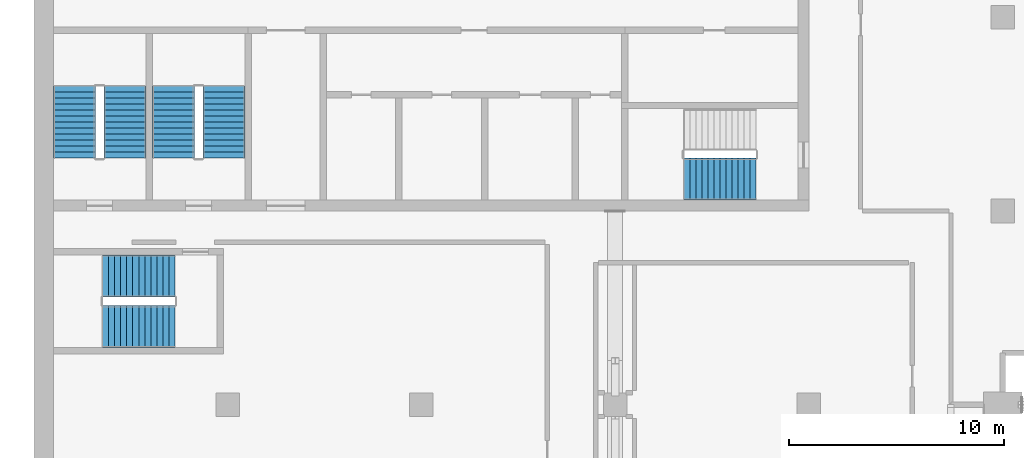
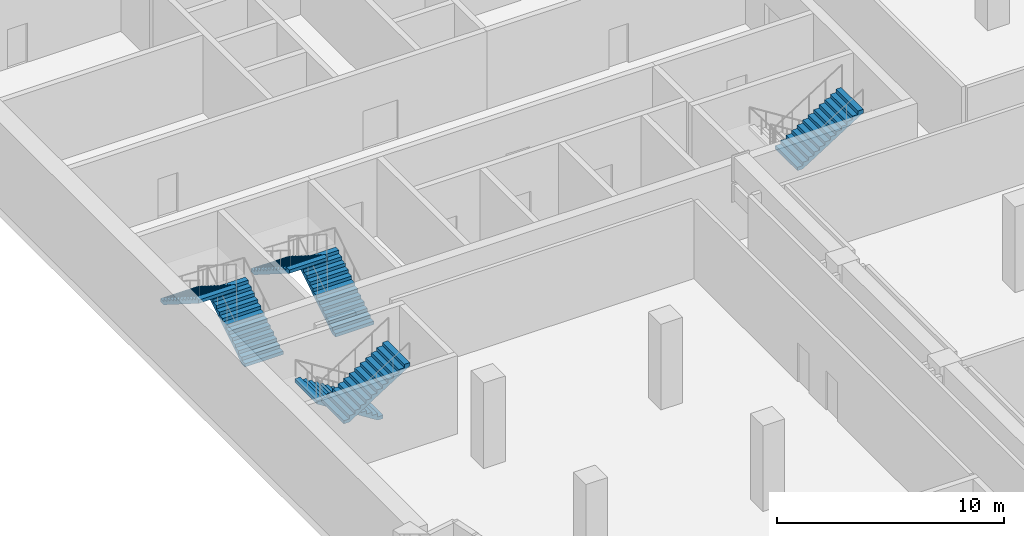
# One storey, part 10 of 16: 7 stair flights, 4 elements without a shape of their own.
"""IFC4 building model written with IfcOpenShell, lengths in metres."""

from ifc_helpers import new_model, si_unit, direction, frame, origin, place, context, subcontext, project, spatial, polyline, outline, extrude, material, type_object, element, aggregate, save


model = new_model("IFC4")

# Units and contexts
model_context = context("Model", 3, precision=1e-05, world=origin(), true_north=direction((0.0, 1.0)))
body_context = subcontext(model_context, "Body", "Model", "MODEL_VIEW")
ifc_project = project(units=[si_unit("LENGTHUNIT", "METRE"), si_unit("AREAUNIT", "SQUARE_METRE"), si_unit("VOLUMEUNIT", "CUBIC_METRE"), si_unit("PLANEANGLEUNIT", "RADIAN"), si_unit("MASSUNIT", "GRAM", prefix="KILO")], contexts=[model_context])

# Site, building, storey
site_placement = place(None, origin())
site = spatial("IfcSite", under=ifc_project, at=site_placement, CompositionType="ELEMENT")
building_placement = place(site_placement, origin())
building = spatial("IfcBuilding", under=site, at=building_placement, Name="Hunhe Ridgeline Campus", CompositionType="ELEMENT")
storey_placement = place(building_placement, frame((0.0, 0.0, 227.199951171875)))
storey = spatial("IfcBuildingStorey", under=building, at=storey_placement, Name="L58", CompositionType="ELEMENT", Elevation=227.199951171875)

# Stair, stair flight
ifc_material = material(Name="Concrete C40", Category="concrete")
stair_type = type_object("IfcStairType", Name="Reinforced concrete dog-leg stair 1950 Concrete C40", PredefinedType="HALF_TURN_STAIR", material=ifc_material)
stair_1_placement = place(storey_placement, origin())
stair_1 = element("IfcStair", 1, at=stair_1_placement, inside=storey, type_object=stair_type, Name="L58 S2", PredefinedType="HALF_TURN_STAIR")
stair_flight_type = type_object("IfcStairFlightType", Name="Reinforced concrete stair flight 1950 Concrete C40", PredefinedType="STRAIGHT", material=ifc_material)
stair_flight_1_placement = place(storey_placement, frame((30.18994140625, 64.47509765625, 2.300048828125), z_axis=(0.0, 0.0, 1.0), x_axis=(1.0, 0.0, 0.0)))
stair_flight_1 = element("IfcStairFlight", 2, at=stair_flight_1_placement, type_object=stair_flight_type, Name="ST2 flight 2", NumberOfRisers=13, NumberOfTreads=12, PredefinedType="STRAIGHT", RiserHeight=0.176923077, TreadLength=0.28, context=body_context, shape_type="SweptSolid", body=[
    extrude(outline(polyline([(0.0, 0.0), (0.0, 0.177001953125), (0.280029296875, 0.177001953125), (0.280029296875, 0.353759765625), (0.56005859375, 0.353759765625), (0.56005859375, 0.53076171875), (0.840087890625, 0.53076171875), (0.840087890625, 0.707763671875), (1.1201171875, 0.707763671875), (1.1201171875, 0.884521484375), (1.39990234375, 0.884521484375), (1.39990234375, 1.0615234375), (1.679931640625, 1.0615234375), (1.679931640625, 1.238525390625), (1.9599609375, 1.238525390625), (1.9599609375, 1.415283203125), (2.239990234375, 1.415283203125), (2.239990234375, 1.59228515625), (2.52001953125, 1.59228515625), (2.52001953125, 1.769287109375), (2.800048828125, 1.769287109375), (2.800048828125, 1.946044921875), (3.080078125, 1.946044921875), (3.080078125, 2.123046875), (3.360107421875, 2.123046875), (3.360107421875, 2.300048828125), (3.360107421875, 1.94580078125), (0.280517578125, 0.0), (0.0, 0.0)])), frame((0.0, 0.97509765625, 0.0), z_axis=(0.0, -1.0, 0.0), x_axis=(1.0, 0.0, 0.0)), (0.0, 0.0, 1.0), 1.949951171875),
    extrude(outline(polyline([(0.030029296875, 0.030029296875), (0.030029296875, 0.14697265625), (0.31005859375, 0.14697265625), (0.31005859375, 0.32373046875), (0.590087890625, 0.32373046875), (0.590087890625, 0.500732421875), (0.8701171875, 0.500732421875), (0.8701171875, 0.677734375), (1.14990234375, 0.677734375), (1.14990234375, 0.8544921875), (1.429931640625, 0.8544921875), (1.429931640625, 1.031494140625), (1.7099609375, 1.031494140625), (1.7099609375, 1.20849609375), (1.989990234375, 1.20849609375), (1.989990234375, 1.385498046875), (2.27001953125, 1.385498046875), (2.27001953125, 1.562255859375), (2.550048828125, 1.562255859375), (2.550048828125, 1.7392578125), (2.830078125, 1.7392578125), (2.830078125, 1.916259765625), (3.110107421875, 1.916259765625), (3.110107421875, 2.093017578125), (3.330078125, 2.093017578125), (3.330078125, 1.96240234375), (0.27197265625, 0.030029296875), (0.030029296875, 0.030029296875)])), frame((0.0, -0.070068359375, 0.0), z_axis=(0.0, -1.0, 0.0), x_axis=(1.0, 0.0, 0.0)), (0.0, 0.0, 1.0), 0.019775390625),
    extrude(outline(polyline([(0.030029296875, 0.030029296875), (0.030029296875, 0.14697265625), (0.31005859375, 0.14697265625), (0.31005859375, 0.32373046875), (0.590087890625, 0.32373046875), (0.590087890625, 0.500732421875), (0.8701171875, 0.500732421875), (0.8701171875, 0.677734375), (1.14990234375, 0.677734375), (1.14990234375, 0.8544921875), (1.429931640625, 0.8544921875), (1.429931640625, 1.031494140625), (1.7099609375, 1.031494140625), (1.7099609375, 1.20849609375), (1.989990234375, 1.20849609375), (1.989990234375, 1.385498046875), (2.27001953125, 1.385498046875), (2.27001953125, 1.562255859375), (2.550048828125, 1.562255859375), (2.550048828125, 1.7392578125), (2.830078125, 1.7392578125), (2.830078125, 1.916259765625), (3.110107421875, 1.916259765625), (3.110107421875, 2.093017578125), (3.330078125, 2.093017578125), (3.330078125, 1.96240234375), (0.27197265625, 0.030029296875), (0.030029296875, 0.030029296875)])), frame((0.0, 0.010009765625, 0.0), z_axis=(0.0, -1.0, 0.0), x_axis=(1.0, 0.0, 0.0)), (0.0, 0.0, 1.0), 0.019775390625),
    extrude(outline(polyline([(0.030029296875, 0.030029296875), (0.030029296875, 0.14697265625), (0.31005859375, 0.14697265625), (0.31005859375, 0.32373046875), (0.590087890625, 0.32373046875), (0.590087890625, 0.500732421875), (0.8701171875, 0.500732421875), (0.8701171875, 0.677734375), (1.14990234375, 0.677734375), (1.14990234375, 0.8544921875), (1.429931640625, 0.8544921875), (1.429931640625, 1.031494140625), (1.7099609375, 1.031494140625), (1.7099609375, 1.20849609375), (1.989990234375, 1.20849609375), (1.989990234375, 1.385498046875), (2.27001953125, 1.385498046875), (2.27001953125, 1.562255859375), (2.550048828125, 1.562255859375), (2.550048828125, 1.7392578125), (2.830078125, 1.7392578125), (2.830078125, 1.916259765625), (3.110107421875, 1.916259765625), (3.110107421875, 2.093017578125), (3.330078125, 2.093017578125), (3.330078125, 1.96240234375), (0.27197265625, 0.030029296875), (0.030029296875, 0.030029296875)])), frame((0.0, 0.090087890625, 0.0), z_axis=(0.0, -1.0, 0.0), x_axis=(1.0, 0.0, 0.0)), (0.0, 0.0, 1.0), 0.019775390625),
])
aggregate(stair_1, [stair_flight_1])

# Stair, stair flights
stair_2_placement = place(storey_placement, origin())
stair_2 = element("IfcStair", 3, at=stair_2_placement, inside=storey, type_object=stair_type, Name="L58 S3", PredefinedType="HALF_TURN_STAIR")
stair_flight_2_placement = place(storey_placement, frame((4.22509765625, 65.449951171875, 0.0), z_axis=(0.0, 0.0, 1.0), x_axis=(0.0, 1.0, 0.0)))
stair_flight_2 = element("IfcStairFlight", 4, at=stair_flight_2_placement, type_object=stair_flight_type, Name="ST3 flight 1", NumberOfRisers=13, NumberOfTreads=12, PredefinedType="STRAIGHT", RiserHeight=0.176923077, TreadLength=0.28, context=body_context, shape_type="SweptSolid", body=[
    extrude(outline(polyline([(0.0, 0.0), (0.0, 0.177001953125), (0.280029296875, 0.177001953125), (0.280029296875, 0.353759765625), (0.56005859375, 0.353759765625), (0.56005859375, 0.53076171875), (0.840087890625, 0.53076171875), (0.840087890625, 0.707763671875), (1.1201171875, 0.707763671875), (1.1201171875, 0.884521484375), (1.39990234375, 0.884521484375), (1.39990234375, 1.0615234375), (1.679931640625, 1.0615234375), (1.679931640625, 1.238525390625), (1.9599609375, 1.238525390625), (1.9599609375, 1.415283203125), (2.239990234375, 1.415283203125), (2.239990234375, 1.59228515625), (2.52001953125, 1.59228515625), (2.52001953125, 1.769287109375), (2.800048828125, 1.769287109375), (2.800048828125, 1.946044921875), (3.080078125, 1.946044921875), (3.080078125, 2.123046875), (3.360107421875, 2.123046875), (3.360107421875, 2.300048828125), (3.360107421875, 1.94580078125), (0.280517578125, 0.0), (0.0, 0.0)])), frame((0.0, 0.97509765625, 0.0), z_axis=(0.0, -1.0, 0.0), x_axis=(1.0, 0.0, 0.0)), (0.0, 0.0, 1.0), 1.949951171875),
    extrude(outline(polyline([(0.030029296875, 0.030029296875), (0.030029296875, 0.14697265625), (0.31005859375, 0.14697265625), (0.31005859375, 0.32373046875), (0.590087890625, 0.32373046875), (0.590087890625, 0.500732421875), (0.8701171875, 0.500732421875), (0.8701171875, 0.677734375), (1.14990234375, 0.677734375), (1.14990234375, 0.8544921875), (1.429931640625, 0.8544921875), (1.429931640625, 1.031494140625), (1.7099609375, 1.031494140625), (1.7099609375, 1.20849609375), (1.989990234375, 1.20849609375), (1.989990234375, 1.385498046875), (2.27001953125, 1.385498046875), (2.27001953125, 1.562255859375), (2.550048828125, 1.562255859375), (2.550048828125, 1.7392578125), (2.830078125, 1.7392578125), (2.830078125, 1.916259765625), (3.110107421875, 1.916259765625), (3.110107421875, 2.093017578125), (3.330078125, 2.093017578125), (3.330078125, 1.96240234375), (0.27197265625, 0.030029296875), (0.030029296875, 0.030029296875)])), frame((0.0, -0.070068359375, 0.0), z_axis=(0.0, -1.0, 0.0), x_axis=(1.0, 0.0, 0.0)), (0.0, 0.0, 1.0), 0.019775390625),
    extrude(outline(polyline([(0.030029296875, 0.030029296875), (0.030029296875, 0.14697265625), (0.31005859375, 0.14697265625), (0.31005859375, 0.32373046875), (0.590087890625, 0.32373046875), (0.590087890625, 0.500732421875), (0.8701171875, 0.500732421875), (0.8701171875, 0.677734375), (1.14990234375, 0.677734375), (1.14990234375, 0.8544921875), (1.429931640625, 0.8544921875), (1.429931640625, 1.031494140625), (1.7099609375, 1.031494140625), (1.7099609375, 1.20849609375), (1.989990234375, 1.20849609375), (1.989990234375, 1.385498046875), (2.27001953125, 1.385498046875), (2.27001953125, 1.562255859375), (2.550048828125, 1.562255859375), (2.550048828125, 1.7392578125), (2.830078125, 1.7392578125), (2.830078125, 1.916259765625), (3.110107421875, 1.916259765625), (3.110107421875, 2.093017578125), (3.330078125, 2.093017578125), (3.330078125, 1.96240234375), (0.27197265625, 0.030029296875), (0.030029296875, 0.030029296875)])), frame((0.0, 0.010009765625, 0.0), z_axis=(0.0, -1.0, 0.0), x_axis=(1.0, 0.0, 0.0)), (0.0, 0.0, 1.0), 0.019775390625),
    extrude(outline(polyline([(0.030029296875, 0.030029296875), (0.030029296875, 0.14697265625), (0.31005859375, 0.14697265625), (0.31005859375, 0.32373046875), (0.590087890625, 0.32373046875), (0.590087890625, 0.500732421875), (0.8701171875, 0.500732421875), (0.8701171875, 0.677734375), (1.14990234375, 0.677734375), (1.14990234375, 0.8544921875), (1.429931640625, 0.8544921875), (1.429931640625, 1.031494140625), (1.7099609375, 1.031494140625), (1.7099609375, 1.20849609375), (1.989990234375, 1.20849609375), (1.989990234375, 1.385498046875), (2.27001953125, 1.385498046875), (2.27001953125, 1.562255859375), (2.550048828125, 1.562255859375), (2.550048828125, 1.7392578125), (2.830078125, 1.7392578125), (2.830078125, 1.916259765625), (3.110107421875, 1.916259765625), (3.110107421875, 2.093017578125), (3.330078125, 2.093017578125), (3.330078125, 1.96240234375), (0.27197265625, 0.030029296875), (0.030029296875, 0.030029296875)])), frame((0.0, 0.090087890625, 0.0), z_axis=(0.0, -1.0, 0.0), x_axis=(1.0, 0.0, 0.0)), (0.0, 0.0, 1.0), 0.019775390625),
])
stair_flight_3_placement = place(storey_placement, frame((1.875, 68.81005859375, 2.300048828125), z_axis=(0.0, 0.0, 1.0), x_axis=(0.0, -1.0, 0.0)))
stair_flight_3 = element("IfcStairFlight", 5, at=stair_flight_3_placement, type_object=stair_flight_type, Name="ST3 flight 2", NumberOfRisers=13, NumberOfTreads=12, PredefinedType="STRAIGHT", RiserHeight=0.176923077, TreadLength=0.28, context=body_context, shape_type="SweptSolid", body=[
    extrude(outline(polyline([(0.0, 0.0), (0.0, 0.177001953125), (0.280029296875, 0.177001953125), (0.280029296875, 0.353759765625), (0.56005859375, 0.353759765625), (0.56005859375, 0.53076171875), (0.840087890625, 0.53076171875), (0.840087890625, 0.707763671875), (1.1201171875, 0.707763671875), (1.1201171875, 0.884521484375), (1.39990234375, 0.884521484375), (1.39990234375, 1.0615234375), (1.679931640625, 1.0615234375), (1.679931640625, 1.238525390625), (1.9599609375, 1.238525390625), (1.9599609375, 1.415283203125), (2.239990234375, 1.415283203125), (2.239990234375, 1.59228515625), (2.52001953125, 1.59228515625), (2.52001953125, 1.769287109375), (2.800048828125, 1.769287109375), (2.800048828125, 1.946044921875), (3.080078125, 1.946044921875), (3.080078125, 2.123046875), (3.360107421875, 2.123046875), (3.360107421875, 2.300048828125), (3.360107421875, 1.94580078125), (0.280517578125, 0.0), (0.0, 0.0)])), frame((0.0, 0.97509765625, 0.0), z_axis=(0.0, -1.0, 0.0), x_axis=(1.0, 0.0, 0.0)), (0.0, 0.0, 1.0), 1.949951171875),
    extrude(outline(polyline([(0.030029296875, 0.030029296875), (0.030029296875, 0.14697265625), (0.31005859375, 0.14697265625), (0.31005859375, 0.32373046875), (0.590087890625, 0.32373046875), (0.590087890625, 0.500732421875), (0.8701171875, 0.500732421875), (0.8701171875, 0.677734375), (1.14990234375, 0.677734375), (1.14990234375, 0.8544921875), (1.429931640625, 0.8544921875), (1.429931640625, 1.031494140625), (1.7099609375, 1.031494140625), (1.7099609375, 1.20849609375), (1.989990234375, 1.20849609375), (1.989990234375, 1.385498046875), (2.27001953125, 1.385498046875), (2.27001953125, 1.562255859375), (2.550048828125, 1.562255859375), (2.550048828125, 1.7392578125), (2.830078125, 1.7392578125), (2.830078125, 1.916259765625), (3.110107421875, 1.916259765625), (3.110107421875, 2.093017578125), (3.330078125, 2.093017578125), (3.330078125, 1.96240234375), (0.27197265625, 0.030029296875), (0.030029296875, 0.030029296875)])), frame((0.0, -0.070068359375, 0.0), z_axis=(0.0, -1.0, 0.0), x_axis=(1.0, 0.0, 0.0)), (0.0, 0.0, 1.0), 0.019775390625),
    extrude(outline(polyline([(0.030029296875, 0.030029296875), (0.030029296875, 0.14697265625), (0.31005859375, 0.14697265625), (0.31005859375, 0.32373046875), (0.590087890625, 0.32373046875), (0.590087890625, 0.500732421875), (0.8701171875, 0.500732421875), (0.8701171875, 0.677734375), (1.14990234375, 0.677734375), (1.14990234375, 0.8544921875), (1.429931640625, 0.8544921875), (1.429931640625, 1.031494140625), (1.7099609375, 1.031494140625), (1.7099609375, 1.20849609375), (1.989990234375, 1.20849609375), (1.989990234375, 1.385498046875), (2.27001953125, 1.385498046875), (2.27001953125, 1.562255859375), (2.550048828125, 1.562255859375), (2.550048828125, 1.7392578125), (2.830078125, 1.7392578125), (2.830078125, 1.916259765625), (3.110107421875, 1.916259765625), (3.110107421875, 2.093017578125), (3.330078125, 2.093017578125), (3.330078125, 1.96240234375), (0.27197265625, 0.030029296875), (0.030029296875, 0.030029296875)])), frame((0.0, 0.010009765625, 0.0), z_axis=(0.0, -1.0, 0.0), x_axis=(1.0, 0.0, 0.0)), (0.0, 0.0, 1.0), 0.019775390625),
    extrude(outline(polyline([(0.030029296875, 0.030029296875), (0.030029296875, 0.14697265625), (0.31005859375, 0.14697265625), (0.31005859375, 0.32373046875), (0.590087890625, 0.32373046875), (0.590087890625, 0.500732421875), (0.8701171875, 0.500732421875), (0.8701171875, 0.677734375), (1.14990234375, 0.677734375), (1.14990234375, 0.8544921875), (1.429931640625, 0.8544921875), (1.429931640625, 1.031494140625), (1.7099609375, 1.031494140625), (1.7099609375, 1.20849609375), (1.989990234375, 1.20849609375), (1.989990234375, 1.385498046875), (2.27001953125, 1.385498046875), (2.27001953125, 1.562255859375), (2.550048828125, 1.562255859375), (2.550048828125, 1.7392578125), (2.830078125, 1.7392578125), (2.830078125, 1.916259765625), (3.110107421875, 1.916259765625), (3.110107421875, 2.093017578125), (3.330078125, 2.093017578125), (3.330078125, 1.96240234375), (0.27197265625, 0.030029296875), (0.030029296875, 0.030029296875)])), frame((0.0, 0.090087890625, 0.0), z_axis=(0.0, -1.0, 0.0), x_axis=(1.0, 0.0, 0.0)), (0.0, 0.0, 1.0), 0.019775390625),
])
aggregate(stair_2, [stair_flight_2, stair_flight_3])

stair_3_placement = place(storey_placement, origin())
stair_3 = element("IfcStair", 6, at=stair_3_placement, inside=storey, type_object=stair_type, Name="L58 S4", PredefinedType="HALF_TURN_STAIR")
stair_flight_4_placement = place(storey_placement, frame((8.824951171875, 65.449951171875, 0.0), z_axis=(0.0, 0.0, 1.0), x_axis=(0.0, 1.0, 0.0)))
stair_flight_4 = element("IfcStairFlight", 7, at=stair_flight_4_placement, type_object=stair_flight_type, Name="ST4 flight 1", NumberOfRisers=13, NumberOfTreads=12, PredefinedType="STRAIGHT", RiserHeight=0.176923077, TreadLength=0.28, context=body_context, shape_type="SweptSolid", body=[
    extrude(outline(polyline([(0.0, 0.0), (0.0, 0.177001953125), (0.280029296875, 0.177001953125), (0.280029296875, 0.353759765625), (0.56005859375, 0.353759765625), (0.56005859375, 0.53076171875), (0.840087890625, 0.53076171875), (0.840087890625, 0.707763671875), (1.1201171875, 0.707763671875), (1.1201171875, 0.884521484375), (1.39990234375, 0.884521484375), (1.39990234375, 1.0615234375), (1.679931640625, 1.0615234375), (1.679931640625, 1.238525390625), (1.9599609375, 1.238525390625), (1.9599609375, 1.415283203125), (2.239990234375, 1.415283203125), (2.239990234375, 1.59228515625), (2.52001953125, 1.59228515625), (2.52001953125, 1.769287109375), (2.800048828125, 1.769287109375), (2.800048828125, 1.946044921875), (3.080078125, 1.946044921875), (3.080078125, 2.123046875), (3.360107421875, 2.123046875), (3.360107421875, 2.300048828125), (3.360107421875, 1.94580078125), (0.280517578125, 0.0), (0.0, 0.0)])), frame((0.0, 0.97509765625, 0.0), z_axis=(0.0, -1.0, 0.0), x_axis=(1.0, 0.0, 0.0)), (0.0, 0.0, 1.0), 1.949951171875),
    extrude(outline(polyline([(0.030029296875, 0.030029296875), (0.030029296875, 0.14697265625), (0.31005859375, 0.14697265625), (0.31005859375, 0.32373046875), (0.590087890625, 0.32373046875), (0.590087890625, 0.500732421875), (0.8701171875, 0.500732421875), (0.8701171875, 0.677734375), (1.14990234375, 0.677734375), (1.14990234375, 0.8544921875), (1.429931640625, 0.8544921875), (1.429931640625, 1.031494140625), (1.7099609375, 1.031494140625), (1.7099609375, 1.20849609375), (1.989990234375, 1.20849609375), (1.989990234375, 1.385498046875), (2.27001953125, 1.385498046875), (2.27001953125, 1.562255859375), (2.550048828125, 1.562255859375), (2.550048828125, 1.7392578125), (2.830078125, 1.7392578125), (2.830078125, 1.916259765625), (3.110107421875, 1.916259765625), (3.110107421875, 2.093017578125), (3.330078125, 2.093017578125), (3.330078125, 1.96240234375), (0.27197265625, 0.030029296875), (0.030029296875, 0.030029296875)])), frame((0.0, -0.070068359375, 0.0), z_axis=(0.0, -1.0, 0.0), x_axis=(1.0, 0.0, 0.0)), (0.0, 0.0, 1.0), 0.019775390625),
    extrude(outline(polyline([(0.030029296875, 0.030029296875), (0.030029296875, 0.14697265625), (0.31005859375, 0.14697265625), (0.31005859375, 0.32373046875), (0.590087890625, 0.32373046875), (0.590087890625, 0.500732421875), (0.8701171875, 0.500732421875), (0.8701171875, 0.677734375), (1.14990234375, 0.677734375), (1.14990234375, 0.8544921875), (1.429931640625, 0.8544921875), (1.429931640625, 1.031494140625), (1.7099609375, 1.031494140625), (1.7099609375, 1.20849609375), (1.989990234375, 1.20849609375), (1.989990234375, 1.385498046875), (2.27001953125, 1.385498046875), (2.27001953125, 1.562255859375), (2.550048828125, 1.562255859375), (2.550048828125, 1.7392578125), (2.830078125, 1.7392578125), (2.830078125, 1.916259765625), (3.110107421875, 1.916259765625), (3.110107421875, 2.093017578125), (3.330078125, 2.093017578125), (3.330078125, 1.96240234375), (0.27197265625, 0.030029296875), (0.030029296875, 0.030029296875)])), frame((0.0, 0.010009765625, 0.0), z_axis=(0.0, -1.0, 0.0), x_axis=(1.0, 0.0, 0.0)), (0.0, 0.0, 1.0), 0.019775390625),
    extrude(outline(polyline([(0.030029296875, 0.030029296875), (0.030029296875, 0.14697265625), (0.31005859375, 0.14697265625), (0.31005859375, 0.32373046875), (0.590087890625, 0.32373046875), (0.590087890625, 0.500732421875), (0.8701171875, 0.500732421875), (0.8701171875, 0.677734375), (1.14990234375, 0.677734375), (1.14990234375, 0.8544921875), (1.429931640625, 0.8544921875), (1.429931640625, 1.031494140625), (1.7099609375, 1.031494140625), (1.7099609375, 1.20849609375), (1.989990234375, 1.20849609375), (1.989990234375, 1.385498046875), (2.27001953125, 1.385498046875), (2.27001953125, 1.562255859375), (2.550048828125, 1.562255859375), (2.550048828125, 1.7392578125), (2.830078125, 1.7392578125), (2.830078125, 1.916259765625), (3.110107421875, 1.916259765625), (3.110107421875, 2.093017578125), (3.330078125, 2.093017578125), (3.330078125, 1.96240234375), (0.27197265625, 0.030029296875), (0.030029296875, 0.030029296875)])), frame((0.0, 0.090087890625, 0.0), z_axis=(0.0, -1.0, 0.0), x_axis=(1.0, 0.0, 0.0)), (0.0, 0.0, 1.0), 0.019775390625),
])
stair_flight_5_placement = place(storey_placement, frame((6.47509765625, 68.81005859375, 2.300048828125), z_axis=(0.0, 0.0, 1.0), x_axis=(0.0, -1.0, 0.0)))
stair_flight_5 = element("IfcStairFlight", 8, at=stair_flight_5_placement, type_object=stair_flight_type, Name="ST4 flight 2", NumberOfRisers=13, NumberOfTreads=12, PredefinedType="STRAIGHT", RiserHeight=0.176923077, TreadLength=0.28, context=body_context, shape_type="SweptSolid", body=[
    extrude(outline(polyline([(0.0, 0.0), (0.0, 0.177001953125), (0.280029296875, 0.177001953125), (0.280029296875, 0.353759765625), (0.56005859375, 0.353759765625), (0.56005859375, 0.53076171875), (0.840087890625, 0.53076171875), (0.840087890625, 0.707763671875), (1.1201171875, 0.707763671875), (1.1201171875, 0.884521484375), (1.39990234375, 0.884521484375), (1.39990234375, 1.0615234375), (1.679931640625, 1.0615234375), (1.679931640625, 1.238525390625), (1.9599609375, 1.238525390625), (1.9599609375, 1.415283203125), (2.239990234375, 1.415283203125), (2.239990234375, 1.59228515625), (2.52001953125, 1.59228515625), (2.52001953125, 1.769287109375), (2.800048828125, 1.769287109375), (2.800048828125, 1.946044921875), (3.080078125, 1.946044921875), (3.080078125, 2.123046875), (3.360107421875, 2.123046875), (3.360107421875, 2.300048828125), (3.360107421875, 1.94580078125), (0.280517578125, 0.0), (0.0, 0.0)])), frame((0.0, 0.97509765625, 0.0), z_axis=(0.0, -1.0, 0.0), x_axis=(1.0, 0.0, 0.0)), (0.0, 0.0, 1.0), 1.949951171875),
    extrude(outline(polyline([(0.030029296875, 0.030029296875), (0.030029296875, 0.14697265625), (0.31005859375, 0.14697265625), (0.31005859375, 0.32373046875), (0.590087890625, 0.32373046875), (0.590087890625, 0.500732421875), (0.8701171875, 0.500732421875), (0.8701171875, 0.677734375), (1.14990234375, 0.677734375), (1.14990234375, 0.8544921875), (1.429931640625, 0.8544921875), (1.429931640625, 1.031494140625), (1.7099609375, 1.031494140625), (1.7099609375, 1.20849609375), (1.989990234375, 1.20849609375), (1.989990234375, 1.385498046875), (2.27001953125, 1.385498046875), (2.27001953125, 1.562255859375), (2.550048828125, 1.562255859375), (2.550048828125, 1.7392578125), (2.830078125, 1.7392578125), (2.830078125, 1.916259765625), (3.110107421875, 1.916259765625), (3.110107421875, 2.093017578125), (3.330078125, 2.093017578125), (3.330078125, 1.96240234375), (0.27197265625, 0.030029296875), (0.030029296875, 0.030029296875)])), frame((0.0, -0.070068359375, 0.0), z_axis=(0.0, -1.0, 0.0), x_axis=(1.0, 0.0, 0.0)), (0.0, 0.0, 1.0), 0.019775390625),
    extrude(outline(polyline([(0.030029296875, 0.030029296875), (0.030029296875, 0.14697265625), (0.31005859375, 0.14697265625), (0.31005859375, 0.32373046875), (0.590087890625, 0.32373046875), (0.590087890625, 0.500732421875), (0.8701171875, 0.500732421875), (0.8701171875, 0.677734375), (1.14990234375, 0.677734375), (1.14990234375, 0.8544921875), (1.429931640625, 0.8544921875), (1.429931640625, 1.031494140625), (1.7099609375, 1.031494140625), (1.7099609375, 1.20849609375), (1.989990234375, 1.20849609375), (1.989990234375, 1.385498046875), (2.27001953125, 1.385498046875), (2.27001953125, 1.562255859375), (2.550048828125, 1.562255859375), (2.550048828125, 1.7392578125), (2.830078125, 1.7392578125), (2.830078125, 1.916259765625), (3.110107421875, 1.916259765625), (3.110107421875, 2.093017578125), (3.330078125, 2.093017578125), (3.330078125, 1.96240234375), (0.27197265625, 0.030029296875), (0.030029296875, 0.030029296875)])), frame((0.0, 0.010009765625, 0.0), z_axis=(0.0, -1.0, 0.0), x_axis=(1.0, 0.0, 0.0)), (0.0, 0.0, 1.0), 0.019775390625),
    extrude(outline(polyline([(0.030029296875, 0.030029296875), (0.030029296875, 0.14697265625), (0.31005859375, 0.14697265625), (0.31005859375, 0.32373046875), (0.590087890625, 0.32373046875), (0.590087890625, 0.500732421875), (0.8701171875, 0.500732421875), (0.8701171875, 0.677734375), (1.14990234375, 0.677734375), (1.14990234375, 0.8544921875), (1.429931640625, 0.8544921875), (1.429931640625, 1.031494140625), (1.7099609375, 1.031494140625), (1.7099609375, 1.20849609375), (1.989990234375, 1.20849609375), (1.989990234375, 1.385498046875), (2.27001953125, 1.385498046875), (2.27001953125, 1.562255859375), (2.550048828125, 1.562255859375), (2.550048828125, 1.7392578125), (2.830078125, 1.7392578125), (2.830078125, 1.916259765625), (3.110107421875, 1.916259765625), (3.110107421875, 2.093017578125), (3.330078125, 2.093017578125), (3.330078125, 1.96240234375), (0.27197265625, 0.030029296875), (0.030029296875, 0.030029296875)])), frame((0.0, 0.090087890625, 0.0), z_axis=(0.0, -1.0, 0.0), x_axis=(1.0, 0.0, 0.0)), (0.0, 0.0, 1.0), 0.019775390625),
])
aggregate(stair_3, [stair_flight_4, stair_flight_5])

stair_4_placement = place(storey_placement, origin())
stair_4 = element("IfcStair", 9, at=stair_4_placement, inside=storey, type_object=stair_type, Name="L58 W2", PredefinedType="HALF_TURN_STAIR")
stair_flight_6_placement = place(storey_placement, frame((6.550048828125, 59.97509765625, 0.0), z_axis=(0.0, 0.0, 1.0), x_axis=(-1.0, 0.0, 0.0)))
stair_flight_6 = element("IfcStairFlight", 10, at=stair_flight_6_placement, type_object=stair_flight_type, Name="ST12 flight 1", NumberOfRisers=13, NumberOfTreads=12, PredefinedType="STRAIGHT", RiserHeight=0.176923077, TreadLength=0.28, context=body_context, shape_type="SweptSolid", body=[
    extrude(outline(polyline([(0.0, 0.0), (0.0, 0.177001953125), (0.280029296875, 0.177001953125), (0.280029296875, 0.353759765625), (0.56005859375, 0.353759765625), (0.56005859375, 0.53076171875), (0.840087890625, 0.53076171875), (0.840087890625, 0.707763671875), (1.1201171875, 0.707763671875), (1.1201171875, 0.884521484375), (1.39990234375, 0.884521484375), (1.39990234375, 1.0615234375), (1.679931640625, 1.0615234375), (1.679931640625, 1.238525390625), (1.9599609375, 1.238525390625), (1.9599609375, 1.415283203125), (2.239990234375, 1.415283203125), (2.239990234375, 1.59228515625), (2.52001953125, 1.59228515625), (2.52001953125, 1.769287109375), (2.800048828125, 1.769287109375), (2.800048828125, 1.946044921875), (3.080078125, 1.946044921875), (3.080078125, 2.123046875), (3.360107421875, 2.123046875), (3.360107421875, 2.300048828125), (3.360107421875, 1.94580078125), (0.280517578125, 0.0), (0.0, 0.0)])), frame((0.0, 0.97509765625, 0.0), z_axis=(0.0, -1.0, 0.0), x_axis=(1.0, 0.0, 0.0)), (0.0, 0.0, 1.0), 1.949951171875),
    extrude(outline(polyline([(0.030029296875, 0.030029296875), (0.030029296875, 0.14697265625), (0.31005859375, 0.14697265625), (0.31005859375, 0.32373046875), (0.590087890625, 0.32373046875), (0.590087890625, 0.500732421875), (0.8701171875, 0.500732421875), (0.8701171875, 0.677734375), (1.14990234375, 0.677734375), (1.14990234375, 0.8544921875), (1.429931640625, 0.8544921875), (1.429931640625, 1.031494140625), (1.7099609375, 1.031494140625), (1.7099609375, 1.20849609375), (1.989990234375, 1.20849609375), (1.989990234375, 1.385498046875), (2.27001953125, 1.385498046875), (2.27001953125, 1.562255859375), (2.550048828125, 1.562255859375), (2.550048828125, 1.7392578125), (2.830078125, 1.7392578125), (2.830078125, 1.916259765625), (3.110107421875, 1.916259765625), (3.110107421875, 2.093017578125), (3.330078125, 2.093017578125), (3.330078125, 1.96240234375), (0.27197265625, 0.030029296875), (0.030029296875, 0.030029296875)])), frame((0.0, -0.070068359375, 0.0), z_axis=(0.0, -1.0, 0.0), x_axis=(1.0, 0.0, 0.0)), (0.0, 0.0, 1.0), 0.019775390625),
    extrude(outline(polyline([(0.030029296875, 0.030029296875), (0.030029296875, 0.14697265625), (0.31005859375, 0.14697265625), (0.31005859375, 0.32373046875), (0.590087890625, 0.32373046875), (0.590087890625, 0.500732421875), (0.8701171875, 0.500732421875), (0.8701171875, 0.677734375), (1.14990234375, 0.677734375), (1.14990234375, 0.8544921875), (1.429931640625, 0.8544921875), (1.429931640625, 1.031494140625), (1.7099609375, 1.031494140625), (1.7099609375, 1.20849609375), (1.989990234375, 1.20849609375), (1.989990234375, 1.385498046875), (2.27001953125, 1.385498046875), (2.27001953125, 1.562255859375), (2.550048828125, 1.562255859375), (2.550048828125, 1.7392578125), (2.830078125, 1.7392578125), (2.830078125, 1.916259765625), (3.110107421875, 1.916259765625), (3.110107421875, 2.093017578125), (3.330078125, 2.093017578125), (3.330078125, 1.96240234375), (0.27197265625, 0.030029296875), (0.030029296875, 0.030029296875)])), frame((0.0, 0.010009765625, 0.0), z_axis=(0.0, -1.0, 0.0), x_axis=(1.0, 0.0, 0.0)), (0.0, 0.0, 1.0), 0.019775390625),
    extrude(outline(polyline([(0.030029296875, 0.030029296875), (0.030029296875, 0.14697265625), (0.31005859375, 0.14697265625), (0.31005859375, 0.32373046875), (0.590087890625, 0.32373046875), (0.590087890625, 0.500732421875), (0.8701171875, 0.500732421875), (0.8701171875, 0.677734375), (1.14990234375, 0.677734375), (1.14990234375, 0.8544921875), (1.429931640625, 0.8544921875), (1.429931640625, 1.031494140625), (1.7099609375, 1.031494140625), (1.7099609375, 1.20849609375), (1.989990234375, 1.20849609375), (1.989990234375, 1.385498046875), (2.27001953125, 1.385498046875), (2.27001953125, 1.562255859375), (2.550048828125, 1.562255859375), (2.550048828125, 1.7392578125), (2.830078125, 1.7392578125), (2.830078125, 1.916259765625), (3.110107421875, 1.916259765625), (3.110107421875, 2.093017578125), (3.330078125, 2.093017578125), (3.330078125, 1.96240234375), (0.27197265625, 0.030029296875), (0.030029296875, 0.030029296875)])), frame((0.0, 0.090087890625, 0.0), z_axis=(0.0, -1.0, 0.0), x_axis=(1.0, 0.0, 0.0)), (0.0, 0.0, 1.0), 0.019775390625),
])
stair_flight_7_placement = place(storey_placement, frame((3.18994140625, 57.625, 2.300048828125), z_axis=(0.0, 0.0, 1.0), x_axis=(1.0, 0.0, 0.0)))
stair_flight_7 = element("IfcStairFlight", 11, at=stair_flight_7_placement, type_object=stair_flight_type, Name="ST12 flight 2", NumberOfRisers=13, NumberOfTreads=12, PredefinedType="STRAIGHT", RiserHeight=0.176923077, TreadLength=0.28, context=body_context, shape_type="SweptSolid", body=[
    extrude(outline(polyline([(0.0, 0.0), (0.0, 0.177001953125), (0.280029296875, 0.177001953125), (0.280029296875, 0.353759765625), (0.56005859375, 0.353759765625), (0.56005859375, 0.53076171875), (0.840087890625, 0.53076171875), (0.840087890625, 0.707763671875), (1.1201171875, 0.707763671875), (1.1201171875, 0.884521484375), (1.39990234375, 0.884521484375), (1.39990234375, 1.0615234375), (1.679931640625, 1.0615234375), (1.679931640625, 1.238525390625), (1.9599609375, 1.238525390625), (1.9599609375, 1.415283203125), (2.239990234375, 1.415283203125), (2.239990234375, 1.59228515625), (2.52001953125, 1.59228515625), (2.52001953125, 1.769287109375), (2.800048828125, 1.769287109375), (2.800048828125, 1.946044921875), (3.080078125, 1.946044921875), (3.080078125, 2.123046875), (3.360107421875, 2.123046875), (3.360107421875, 2.300048828125), (3.360107421875, 1.94580078125), (0.280517578125, 0.0), (0.0, 0.0)])), frame((0.0, 0.97509765625, 0.0), z_axis=(0.0, -1.0, 0.0), x_axis=(1.0, 0.0, 0.0)), (0.0, 0.0, 1.0), 1.949951171875),
    extrude(outline(polyline([(0.030029296875, 0.030029296875), (0.030029296875, 0.14697265625), (0.31005859375, 0.14697265625), (0.31005859375, 0.32373046875), (0.590087890625, 0.32373046875), (0.590087890625, 0.500732421875), (0.8701171875, 0.500732421875), (0.8701171875, 0.677734375), (1.14990234375, 0.677734375), (1.14990234375, 0.8544921875), (1.429931640625, 0.8544921875), (1.429931640625, 1.031494140625), (1.7099609375, 1.031494140625), (1.7099609375, 1.20849609375), (1.989990234375, 1.20849609375), (1.989990234375, 1.385498046875), (2.27001953125, 1.385498046875), (2.27001953125, 1.562255859375), (2.550048828125, 1.562255859375), (2.550048828125, 1.7392578125), (2.830078125, 1.7392578125), (2.830078125, 1.916259765625), (3.110107421875, 1.916259765625), (3.110107421875, 2.093017578125), (3.330078125, 2.093017578125), (3.330078125, 1.96240234375), (0.27197265625, 0.030029296875), (0.030029296875, 0.030029296875)])), frame((0.0, -0.070068359375, 0.0), z_axis=(0.0, -1.0, 0.0), x_axis=(1.0, 0.0, 0.0)), (0.0, 0.0, 1.0), 0.019775390625),
    extrude(outline(polyline([(0.030029296875, 0.030029296875), (0.030029296875, 0.14697265625), (0.31005859375, 0.14697265625), (0.31005859375, 0.32373046875), (0.590087890625, 0.32373046875), (0.590087890625, 0.500732421875), (0.8701171875, 0.500732421875), (0.8701171875, 0.677734375), (1.14990234375, 0.677734375), (1.14990234375, 0.8544921875), (1.429931640625, 0.8544921875), (1.429931640625, 1.031494140625), (1.7099609375, 1.031494140625), (1.7099609375, 1.20849609375), (1.989990234375, 1.20849609375), (1.989990234375, 1.385498046875), (2.27001953125, 1.385498046875), (2.27001953125, 1.562255859375), (2.550048828125, 1.562255859375), (2.550048828125, 1.7392578125), (2.830078125, 1.7392578125), (2.830078125, 1.916259765625), (3.110107421875, 1.916259765625), (3.110107421875, 2.093017578125), (3.330078125, 2.093017578125), (3.330078125, 1.96240234375), (0.27197265625, 0.030029296875), (0.030029296875, 0.030029296875)])), frame((0.0, 0.010009765625, 0.0), z_axis=(0.0, -1.0, 0.0), x_axis=(1.0, 0.0, 0.0)), (0.0, 0.0, 1.0), 0.019775390625),
    extrude(outline(polyline([(0.030029296875, 0.030029296875), (0.030029296875, 0.14697265625), (0.31005859375, 0.14697265625), (0.31005859375, 0.32373046875), (0.590087890625, 0.32373046875), (0.590087890625, 0.500732421875), (0.8701171875, 0.500732421875), (0.8701171875, 0.677734375), (1.14990234375, 0.677734375), (1.14990234375, 0.8544921875), (1.429931640625, 0.8544921875), (1.429931640625, 1.031494140625), (1.7099609375, 1.031494140625), (1.7099609375, 1.20849609375), (1.989990234375, 1.20849609375), (1.989990234375, 1.385498046875), (2.27001953125, 1.385498046875), (2.27001953125, 1.562255859375), (2.550048828125, 1.562255859375), (2.550048828125, 1.7392578125), (2.830078125, 1.7392578125), (2.830078125, 1.916259765625), (3.110107421875, 1.916259765625), (3.110107421875, 2.093017578125), (3.330078125, 2.093017578125), (3.330078125, 1.96240234375), (0.27197265625, 0.030029296875), (0.030029296875, 0.030029296875)])), frame((0.0, 0.090087890625, 0.0), z_axis=(0.0, -1.0, 0.0), x_axis=(1.0, 0.0, 0.0)), (0.0, 0.0, 1.0), 0.019775390625),
])
aggregate(stair_4, [stair_flight_6, stair_flight_7])

save(model, "model.ifc")
